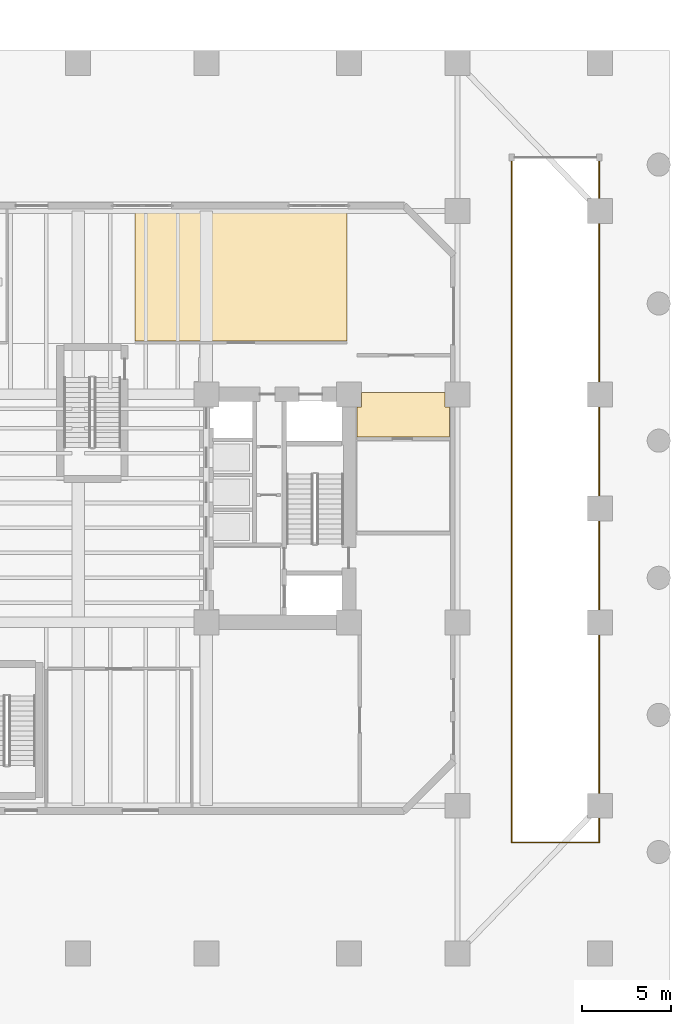
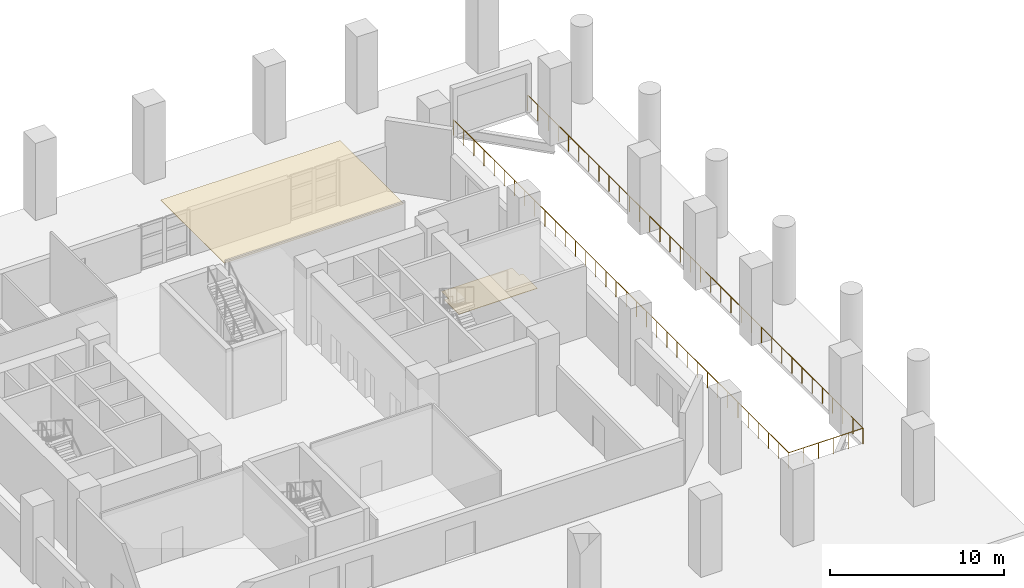
# One storey, part 10 of 12: 2 coverings, 1 railing.
"""IFC4 building model written with IfcOpenShell, lengths in metres."""

from ifc_helpers import new_model, si_unit, direction, frame, origin, origin_2d, place, context, subcontext, project, spatial, polyline, circle, outline, extrude, material, layer, layer_set, type_object, element, save


model = new_model("IFC4")

# Units and contexts
model_context = context("Model", 3, precision=1e-05, world=origin(), true_north=direction((0.0, 1.0)))
body_context = subcontext(model_context, "Body", "Model", "MODEL_VIEW")
ifc_project = project(units=[si_unit("LENGTHUNIT", "METRE"), si_unit("AREAUNIT", "SQUARE_METRE"), si_unit("VOLUMEUNIT", "CUBIC_METRE"), si_unit("PLANEANGLEUNIT", "RADIAN"), si_unit("MASSUNIT", "GRAM", prefix="KILO")], contexts=[model_context])

# Site, building, storey
site_placement = place(None, origin())
site = spatial("IfcSite", under=ifc_project, at=site_placement, CompositionType="ELEMENT")
building_placement = place(site_placement, origin())
building = spatial("IfcBuilding", under=site, at=building_placement, Name="Kranthara Brick Stack", CompositionType="ELEMENT")
storey_placement = place(building_placement, origin())
storey = spatial("IfcBuildingStorey", under=building, at=storey_placement, Name="L00", CompositionType="ELEMENT", Elevation=0.0)

# Coverings
ifc_material_1 = material(Name="Perforated mineral-fibre acoustic ceiling tile", Category="other")
ifc_layer_1 = layer(ifc_material_1, 0.02490234375)
ifc_layer_set_1 = layer_set([ifc_layer_1], Name="Perforated mineral-fibre acoustic ceiling tile")
covering_type_1 = type_object("IfcCoveringType", Name="COV-CEIL-ACOUSTIC", PredefinedType="CEILING", material=ifc_layer_set_1)
covering_1_placement = place(storey_placement, frame((0.0, 0.0, 4.679931640625)))
element("IfcCovering", 1, at=covering_1_placement, inside=storey, type_object=covering_type_1, Name="L00 Tower Concierge and Security Reception Acoustic Ceiling", PredefinedType="CEILING", context=body_context, shape_type="SweptSolid", body=[
    extrude(outline(polyline([(43.10009765625, 36.60009765625), (43.10009765625, 43.89990234375), (31.199951171875, 43.89990234375), (31.199951171875, 36.60009765625), (43.10009765625, 36.60009765625)])), origin(), (0.0, 0.0, 1.0), 0.025146484375),
])
ifc_material_2 = material(Name="Honed terrazzo and porcelain floor finish", Category="stone")
ifc_layer_2 = layer(ifc_material_2, 0.030029296875)
ifc_layer_set_2 = layer_set([ifc_layer_2], Name="Honed terrazzo and porcelain floor finish")
covering_type_2 = type_object("IfcCoveringType", Name="COV-FLOR-STONE", PredefinedType="FLOORING", material=ifc_layer_set_2)
covering_2_placement = place(storey_placement, origin())
element("IfcCovering", 2, at=covering_2_placement, inside=storey, type_object=covering_type_2, Name="L00 Lift Lobby Stone Flooring", PredefinedType="FLOORING", context=body_context, shape_type="SweptSolid", body=[
    extrude(outline(polyline([(43.64990234375, 31.219970703125), (43.64990234375, 32.889892578125), (43.909912109375, 32.889892578125), (43.909912109375, 33.699951171875), (48.590087890625, 33.699951171875), (48.590087890625, 32.889892578125), (48.85009765625, 32.889892578125), (48.85009765625, 31.219970703125), (43.64990234375, 31.219970703125)])), origin(), (0.0, 0.0, 1.0), 0.030029296875),
])

# Railing
ifc_material_3 = material(Name="Bronze anodised aluminium and laminated glass balustrade", Category="aluminium")
railing_type = type_object("IfcRailingType", Name="RL-BALC-1120", PredefinedType="BALUSTRADE", material=ifc_material_3)
railing_placement = place(storey_placement, frame((52.340087890625, 46.89990234375, 0.0)))
element("IfcRailing", 3, at=railing_placement, inside=storey, type_object=railing_type, Name="L00 Car Park Ramp Well Guardrail", PredefinedType="BALUSTRADE", context=body_context, shape_type="SweptSolid", body=[
    extrude(circle(Radius=0.02392578125, at=origin_2d()), frame((0.0, 0.0, 1.09619140625), z_axis=(0.0, -1.0, 0.0), x_axis=(1.0, 0.0, 0.0)), (0.0, 0.0, 1.0), 38.4599609375),
    extrude(circle(Radius=0.02392578125, at=origin_2d()), frame((0.0, -38.4599609375, 1.09619140625), z_axis=(1.0, 0.0, 0.0), x_axis=(0.0, 1.0, 0.0)), (0.0, 0.0, 1.0), 4.919921875),
    extrude(circle(Radius=0.02392578125, at=origin_2d()), frame((4.919921875, -38.4599609375, 1.09619140625), z_axis=(0.0, 1.0, 0.0), x_axis=(-1.0, 0.0, 0.0)), (0.0, 0.0, 1.0), 38.4599609375),
    extrude(circle(Radius=0.02099609375, at=origin_2d()), origin(), (0.0, 0.0, 1.0), 1.072021484375),
    extrude(circle(Radius=0.02099609375, at=origin_2d()), frame((0.0, -1.16552734375, 0.0)), (0.0, 0.0, 1.0), 1.072021484375),
    extrude(circle(Radius=0.02099609375, at=origin_2d()), frame((0.0, -2.330810546875, 0.0)), (0.0, 0.0, 1.0), 1.072021484375),
    extrude(circle(Radius=0.02099609375, at=origin_2d()), frame((0.0, -3.496337890625, 0.0)), (0.0, 0.0, 1.0), 1.072021484375),
    extrude(circle(Radius=0.02099609375, at=origin_2d()), frame((0.0, -4.661865234375, 0.0)), (0.0, 0.0, 1.0), 1.072021484375),
    extrude(circle(Radius=0.02099609375, at=origin_2d()), frame((0.0, -5.8271484375, 0.0)), (0.0, 0.0, 1.0), 1.072021484375),
    extrude(circle(Radius=0.02099609375, at=origin_2d()), frame((0.0, -6.99267578125, 0.0)), (0.0, 0.0, 1.0), 1.072021484375),
    extrude(circle(Radius=0.02099609375, at=origin_2d()), frame((0.0, -8.158203125, 0.0)), (0.0, 0.0, 1.0), 1.072021484375),
    extrude(circle(Radius=0.02099609375, at=origin_2d()), frame((0.0, -9.32373046875, 0.0)), (0.0, 0.0, 1.0), 1.072021484375),
    extrude(circle(Radius=0.02099609375, at=origin_2d()), frame((0.0, -10.489013671875, 0.0)), (0.0, 0.0, 1.0), 1.072021484375),
    extrude(circle(Radius=0.02099609375, at=origin_2d()), frame((0.0, -11.654541015625, 0.0)), (0.0, 0.0, 1.0), 1.072021484375),
    extrude(circle(Radius=0.02099609375, at=origin_2d()), frame((0.0, -12.820068359375, 0.0)), (0.0, 0.0, 1.0), 1.072021484375),
    extrude(circle(Radius=0.02099609375, at=origin_2d()), frame((0.0, -13.9853515625, 0.0)), (0.0, 0.0, 1.0), 1.072021484375),
    extrude(circle(Radius=0.02099609375, at=origin_2d()), frame((0.0, -15.15087890625, 0.0)), (0.0, 0.0, 1.0), 1.072021484375),
    extrude(circle(Radius=0.02099609375, at=origin_2d()), frame((0.0, -16.31640625, 0.0)), (0.0, 0.0, 1.0), 1.072021484375),
    extrude(circle(Radius=0.02099609375, at=origin_2d()), frame((0.0, -17.481689453125, 0.0)), (0.0, 0.0, 1.0), 1.072021484375),
    extrude(circle(Radius=0.02099609375, at=origin_2d()), frame((0.0, -18.647216796875, 0.0)), (0.0, 0.0, 1.0), 1.072021484375),
    extrude(circle(Radius=0.02099609375, at=origin_2d()), frame((0.0, -19.812744140625, 0.0)), (0.0, 0.0, 1.0), 1.072021484375),
    extrude(circle(Radius=0.02099609375, at=origin_2d()), frame((0.0, -20.978271484375, 0.0)), (0.0, 0.0, 1.0), 1.072021484375),
    extrude(circle(Radius=0.02099609375, at=origin_2d()), frame((0.0, -22.1435546875, 0.0)), (0.0, 0.0, 1.0), 1.072021484375),
    extrude(circle(Radius=0.02099609375, at=origin_2d()), frame((0.0, -23.30908203125, 0.0)), (0.0, 0.0, 1.0), 1.072021484375),
    extrude(circle(Radius=0.02099609375, at=origin_2d()), frame((0.0, -24.474609375, 0.0)), (0.0, 0.0, 1.0), 1.072021484375),
    extrude(circle(Radius=0.02099609375, at=origin_2d()), frame((0.0, -25.639892578125, 0.0)), (0.0, 0.0, 1.0), 1.072021484375),
    extrude(circle(Radius=0.02099609375, at=origin_2d()), frame((0.0, -26.805419921875, 0.0)), (0.0, 0.0, 1.0), 1.072021484375),
    extrude(circle(Radius=0.02099609375, at=origin_2d()), frame((0.0, -27.970947265625, 0.0)), (0.0, 0.0, 1.0), 1.072021484375),
    extrude(circle(Radius=0.02099609375, at=origin_2d()), frame((0.0, -29.13623046875, 0.0)), (0.0, 0.0, 1.0), 1.072021484375),
    extrude(circle(Radius=0.02099609375, at=origin_2d()), frame((0.0, -30.3017578125, 0.0)), (0.0, 0.0, 1.0), 1.072021484375),
    extrude(circle(Radius=0.02099609375, at=origin_2d()), frame((0.0, -31.46728515625, 0.0)), (0.0, 0.0, 1.0), 1.072021484375),
    extrude(circle(Radius=0.02099609375, at=origin_2d()), frame((0.0, -32.6328125, 0.0)), (0.0, 0.0, 1.0), 1.072021484375),
    extrude(circle(Radius=0.02099609375, at=origin_2d()), frame((0.0, -33.798095703125, 0.0)), (0.0, 0.0, 1.0), 1.072021484375),
    extrude(circle(Radius=0.02099609375, at=origin_2d()), frame((0.0, -34.963623046875, 0.0)), (0.0, 0.0, 1.0), 1.072021484375),
    extrude(circle(Radius=0.02099609375, at=origin_2d()), frame((0.0, -36.129150390625, 0.0)), (0.0, 0.0, 1.0), 1.072021484375),
    extrude(circle(Radius=0.02099609375, at=origin_2d()), frame((0.0, -37.29443359375, 0.0)), (0.0, 0.0, 1.0), 1.072021484375),
    extrude(circle(Radius=0.02099609375, at=origin_2d()), frame((0.0, -38.4599609375, 0.0)), (0.0, 0.0, 1.0), 1.072021484375),
    extrude(circle(Radius=0.02099609375, at=origin_2d()), frame((0.98388671875, -38.4599609375, 0.0)), (0.0, 0.0, 1.0), 1.072021484375),
    extrude(circle(Radius=0.02099609375, at=origin_2d()), frame((1.968017578125, -38.4599609375, 0.0)), (0.0, 0.0, 1.0), 1.072021484375),
    extrude(circle(Radius=0.02099609375, at=origin_2d()), frame((2.951904296875, -38.4599609375, 0.0)), (0.0, 0.0, 1.0), 1.072021484375),
    extrude(circle(Radius=0.02099609375, at=origin_2d()), frame((3.93603515625, -38.4599609375, 0.0)), (0.0, 0.0, 1.0), 1.072021484375),
    extrude(circle(Radius=0.02099609375, at=origin_2d()), frame((4.919921875, -38.4599609375, 0.0)), (0.0, 0.0, 1.0), 1.072021484375),
    extrude(circle(Radius=0.02099609375, at=origin_2d()), frame((4.919921875, -37.29443359375, 0.0)), (0.0, 0.0, 1.0), 1.072021484375),
    extrude(circle(Radius=0.02099609375, at=origin_2d()), frame((4.919921875, -36.129150390625, 0.0)), (0.0, 0.0, 1.0), 1.072021484375),
    extrude(circle(Radius=0.02099609375, at=origin_2d()), frame((4.919921875, -34.963623046875, 0.0)), (0.0, 0.0, 1.0), 1.072021484375),
    extrude(circle(Radius=0.02099609375, at=origin_2d()), frame((4.919921875, -33.798095703125, 0.0)), (0.0, 0.0, 1.0), 1.072021484375),
    extrude(circle(Radius=0.02099609375, at=origin_2d()), frame((4.919921875, -32.6328125, 0.0)), (0.0, 0.0, 1.0), 1.072021484375),
    extrude(circle(Radius=0.02099609375, at=origin_2d()), frame((4.919921875, -31.46728515625, 0.0)), (0.0, 0.0, 1.0), 1.072021484375),
    extrude(circle(Radius=0.02099609375, at=origin_2d()), frame((4.919921875, -30.3017578125, 0.0)), (0.0, 0.0, 1.0), 1.072021484375),
    extrude(circle(Radius=0.02099609375, at=origin_2d()), frame((4.919921875, -29.13623046875, 0.0)), (0.0, 0.0, 1.0), 1.072021484375),
    extrude(circle(Radius=0.02099609375, at=origin_2d()), frame((4.919921875, -27.970947265625, 0.0)), (0.0, 0.0, 1.0), 1.072021484375),
    extrude(circle(Radius=0.02099609375, at=origin_2d()), frame((4.919921875, -26.805419921875, 0.0)), (0.0, 0.0, 1.0), 1.072021484375),
    extrude(circle(Radius=0.02099609375, at=origin_2d()), frame((4.919921875, -25.639892578125, 0.0)), (0.0, 0.0, 1.0), 1.072021484375),
    extrude(circle(Radius=0.02099609375, at=origin_2d()), frame((4.919921875, -24.474609375, 0.0)), (0.0, 0.0, 1.0), 1.072021484375),
    extrude(circle(Radius=0.02099609375, at=origin_2d()), frame((4.919921875, -23.30908203125, 0.0)), (0.0, 0.0, 1.0), 1.072021484375),
    extrude(circle(Radius=0.02099609375, at=origin_2d()), frame((4.919921875, -22.1435546875, 0.0)), (0.0, 0.0, 1.0), 1.072021484375),
    extrude(circle(Radius=0.02099609375, at=origin_2d()), frame((4.919921875, -20.978271484375, 0.0)), (0.0, 0.0, 1.0), 1.072021484375),
    extrude(circle(Radius=0.02099609375, at=origin_2d()), frame((4.919921875, -19.812744140625, 0.0)), (0.0, 0.0, 1.0), 1.072021484375),
    extrude(circle(Radius=0.02099609375, at=origin_2d()), frame((4.919921875, -18.647216796875, 0.0)), (0.0, 0.0, 1.0), 1.072021484375),
    extrude(circle(Radius=0.02099609375, at=origin_2d()), frame((4.919921875, -17.481689453125, 0.0)), (0.0, 0.0, 1.0), 1.072021484375),
    extrude(circle(Radius=0.02099609375, at=origin_2d()), frame((4.919921875, -16.31640625, 0.0)), (0.0, 0.0, 1.0), 1.072021484375),
    extrude(circle(Radius=0.02099609375, at=origin_2d()), frame((4.919921875, -15.15087890625, 0.0)), (0.0, 0.0, 1.0), 1.072021484375),
    extrude(circle(Radius=0.02099609375, at=origin_2d()), frame((4.919921875, -13.9853515625, 0.0)), (0.0, 0.0, 1.0), 1.072021484375),
    extrude(circle(Radius=0.02099609375, at=origin_2d()), frame((4.919921875, -12.820068359375, 0.0)), (0.0, 0.0, 1.0), 1.072021484375),
    extrude(circle(Radius=0.02099609375, at=origin_2d()), frame((4.919921875, -11.654541015625, 0.0)), (0.0, 0.0, 1.0), 1.072021484375),
    extrude(circle(Radius=0.02099609375, at=origin_2d()), frame((4.919921875, -10.489013671875, 0.0)), (0.0, 0.0, 1.0), 1.072021484375),
    extrude(circle(Radius=0.02099609375, at=origin_2d()), frame((4.919921875, -9.32373046875, 0.0)), (0.0, 0.0, 1.0), 1.072021484375),
    extrude(circle(Radius=0.02099609375, at=origin_2d()), frame((4.919921875, -8.158203125, 0.0)), (0.0, 0.0, 1.0), 1.072021484375),
    extrude(circle(Radius=0.02099609375, at=origin_2d()), frame((4.919921875, -6.99267578125, 0.0)), (0.0, 0.0, 1.0), 1.072021484375),
    extrude(circle(Radius=0.02099609375, at=origin_2d()), frame((4.919921875, -5.8271484375, 0.0)), (0.0, 0.0, 1.0), 1.072021484375),
    extrude(circle(Radius=0.02099609375, at=origin_2d()), frame((4.919921875, -4.661865234375, 0.0)), (0.0, 0.0, 1.0), 1.072021484375),
    extrude(circle(Radius=0.02099609375, at=origin_2d()), frame((4.919921875, -3.496337890625, 0.0)), (0.0, 0.0, 1.0), 1.072021484375),
    extrude(circle(Radius=0.02099609375, at=origin_2d()), frame((4.919921875, -2.330810546875, 0.0)), (0.0, 0.0, 1.0), 1.072021484375),
    extrude(circle(Radius=0.02099609375, at=origin_2d()), frame((4.919921875, -1.16552734375, 0.0)), (0.0, 0.0, 1.0), 1.072021484375),
    extrude(circle(Radius=0.02099609375, at=origin_2d()), frame((4.919921875, 0.0, 0.0)), (0.0, 0.0, 1.0), 1.072021484375),
])

save(model, "model.ifc")
